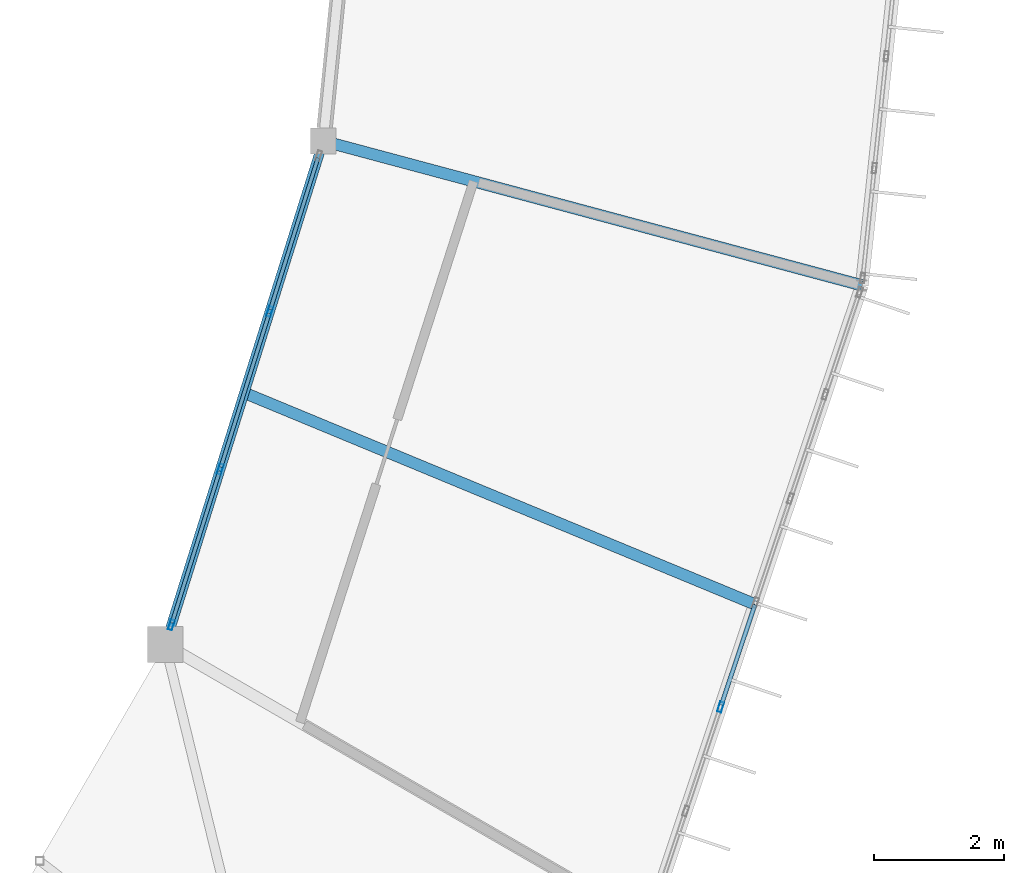
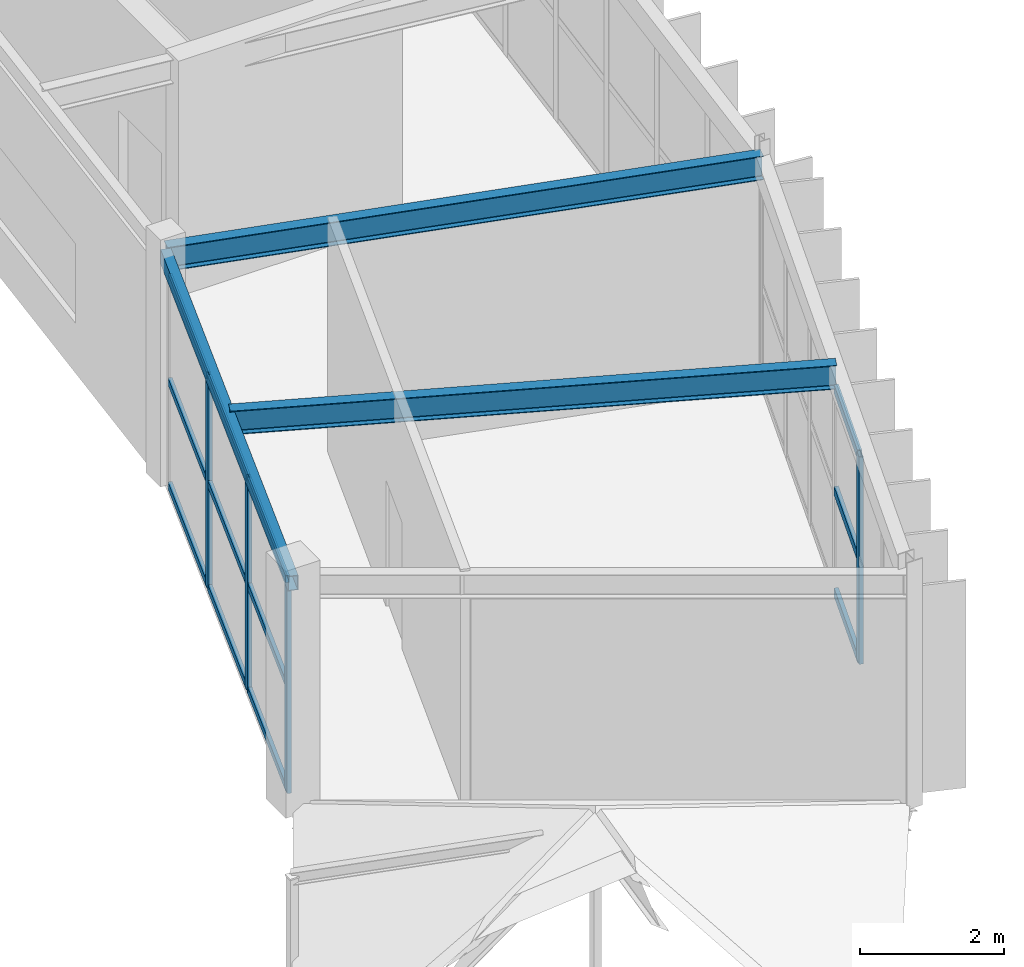
# One storey, part 24 of 66: 16 members, 3 beams, 2 elements without a shape of their own.
"""IFC4 building model written with IfcOpenShell, lengths in metres."""

from ifc_helpers import new_model, si_unit, direction, frame, origin, origin_2d, place, context, subcontext, project, spatial, hollow_rectangle, i_section, extrude, material, material_profile, profile_set, type_object, element, aggregate, save


model = new_model("IFC4")

# Units and contexts
model_context = context("Model", 3, precision=1e-05, world=origin(), true_north=direction((0.0, 1.0)))
body_context = subcontext(model_context, "Body", "Model", "MODEL_VIEW")
ifc_project = project(units=[si_unit("LENGTHUNIT", "METRE"), si_unit("AREAUNIT", "SQUARE_METRE"), si_unit("VOLUMEUNIT", "CUBIC_METRE"), si_unit("PLANEANGLEUNIT", "RADIAN"), si_unit("MASSUNIT", "GRAM", prefix="KILO")], contexts=[model_context])

# Site, building, storey
site_placement = place(None, origin())
site = spatial("IfcSite", under=ifc_project, at=site_placement, CompositionType="ELEMENT")
building_placement = place(site_placement, origin())
building = spatial("IfcBuilding", under=site, at=building_placement, Name="Karori Crest Natural Sciences Institute", CompositionType="ELEMENT")
storey_placement = place(building_placement, frame((0.0, 0.0, 30.10009765625)))
storey = spatial("IfcBuildingStorey", under=building, at=storey_placement, Name="L07", CompositionType="ELEMENT", Elevation=30.10009765625)

# Beams
ifc_material_1 = material(Name="Structural steel AS/NZS 3679.1 Grade 350", Category="steel")
ifc_material_profile_1 = material_profile(ifc_material_1, i_section(OverallWidth=0.177978515625, OverallDepth=0.406005859375, WebThickness=0.0078125, FlangeThickness=0.0126953125, FilletRadius=0.010986328125, at=origin_2d()), Name="410UB59.7")
ifc_profile_set_1 = profile_set([ifc_material_profile_1], Name="Structural steel AS/NZS 3679.1 Grade 350")
beam_type_1 = type_object("IfcBeamType", Name="BT-07", PredefinedType="BEAM", material=ifc_profile_set_1)
beam_1_placement = place(storey_placement, frame((89.968505859375, 41.56591796875, 3.739990234375), z_axis=(0.96592752402, -0.258812709002, 0.0), x_axis=(0.258812709002, 0.96592752402, 0.0)))
element("IfcBeam", 1, at=beam_1_placement, inside=storey, type_object=beam_type_1, Name="Beam B-0715", PredefinedType="BEAM", context=body_context, shape_type="SweptSolid", body=[
    extrude(i_section(OverallWidth=0.177978515625, OverallDepth=0.406005859375, WebThickness=0.0078125, FlangeThickness=0.0126953125, FilletRadius=0.010986328125, at=origin_2d()), origin(), (0.0, 0.0, 1.0), 8.60009765625),
])
beam_2_placement = place(storey_placement, frame((88.749755859375, 37.68310546875, 3.739990234375), z_axis=(0.923879682373, -0.382683070567, 0.0), x_axis=(0.382683070567, 0.923879682373, 0.0)))
element("IfcBeam", 2, at=beam_2_placement, inside=storey, type_object=beam_type_1, Name="Beam B-2903", PredefinedType="BEAM", context=body_context, shape_type="SweptSolid", body=[
    extrude(i_section(OverallWidth=0.177978515625, OverallDepth=0.406005859375, WebThickness=0.0078125, FlangeThickness=0.0126953125, FilletRadius=0.010986328125, at=origin_2d()), origin(), (0.0, 0.0, 1.0), 8.5263671875),
])
ifc_material_2 = material(Name="Hollow structural steel AS/NZS 1163 Grade C350", Category="steel")
ifc_material_profile_2 = material_profile(ifc_material_2, hollow_rectangle(XDim=0.14990234375, YDim=0.25, WallThickness=0.009033203125, at=origin_2d()), Name="RHS250x150x9")
ifc_profile_set_2 = profile_set([ifc_material_profile_2], Name="Hollow structural steel AS/NZS 1163 Grade C350")
beam_type_2 = type_object("IfcBeamType", Name="BT-16", PredefinedType="SPANDREL", material=ifc_profile_set_2)
beam_3_placement = place(storey_placement, frame((87.531005859375, 33.800048828125, 3.739990234375), z_axis=(0.299468576182, 0.954106163841, 0.0), x_axis=(-0.954106163841, 0.299468576182, 0.0)))
element("IfcBeam", 3, at=beam_3_placement, inside=storey, type_object=beam_type_2, Name="Beam B-0711", PredefinedType="SPANDREL", context=body_context, shape_type="SweptSolid", body=[
    extrude(hollow_rectangle(XDim=0.14990234375, YDim=0.25, WallThickness=0.009033203125, at=origin_2d()), origin(), (0.0, 0.0, 1.0), 8.139404296875),
])

# Curtain wall, member
ifc_material_3 = material(Name="Anodised architectural aluminium 6063-T6", Category="aluminium")
curtain_wall_type_1 = type_object("IfcCurtainWallType", Name="CWT-03", PredefinedType="NOTDEFINED", material=ifc_material_3)
curtain_wall_1_placement = place(storey_placement, origin())
curtain_wall_1 = element("IfcCurtainWall", 4, at=curtain_wall_1_placement, inside=storey, type_object=curtain_wall_type_1, Name="Curtain wall CW-0240", PredefinedType="NOTDEFINED")
ifc_material_profile_3 = material_profile(ifc_material_3, hollow_rectangle(XDim=0.06494140625, YDim=0.159912109375, WallThickness=0.00390625, at=origin_2d()), Name="CWM160x65x4")
ifc_profile_set_3 = profile_set([ifc_material_profile_3], Name="Anodised architectural aluminium 6063-T6")
member_type_1 = type_object("IfcMemberType", Name="CWM-01", PredefinedType="MULLION", material=ifc_profile_set_3)
member_1_placement = place(storey_placement, frame((96.096923828125, 32.837158203125, 0.0), z_axis=(0.0, 0.0, 1.0), x_axis=(0.94819805026, -0.317679803392, 0.0)))
member_1 = element("IfcMember", 5, at=member_1_placement, type_object=member_type_1, Name="CW-0240 mullion 5", PredefinedType="MULLION", context=body_context, shape_type="SweptSolid", body=[
    extrude(hollow_rectangle(XDim=0.06494140625, YDim=0.159912109375, WallThickness=0.00390625, at=origin_2d()), origin(), (0.0, 0.0, 1.0), 3.52490234375),
])

# Curtain wall, members
curtain_wall_type_2 = type_object("IfcCurtainWallType", Name="CWT-13", PredefinedType="NOTDEFINED", material=ifc_material_3)
curtain_wall_2_placement = place(storey_placement, origin())
curtain_wall_2 = element("IfcCurtainWall", 6, at=curtain_wall_2_placement, inside=storey, type_object=curtain_wall_type_2, Name="Curtain wall CW-0241", PredefinedType="NOTDEFINED")
member_2_placement = place(storey_placement, frame((87.62646484375, 34.10400390625, 0.0), z_axis=(0.0, 0.0, 1.0), x_axis=(-0.954104067778, 0.299475254154, 0.0)))
member_2 = element("IfcMember", 7, at=member_2_placement, type_object=member_type_1, Name="CW-0241 mullion 1", PredefinedType="MULLION", context=body_context, shape_type="SweptSolid", body=[
    extrude(hollow_rectangle(XDim=0.06494140625, YDim=0.159912109375, WallThickness=0.00390625, at=origin_2d()), origin(), (0.0, 0.0, 1.0), 3.599853515625),
])
member_3_placement = place(storey_placement, frame((88.3798828125, 36.504638671875, 0.0), z_axis=(0.0, 0.0, 1.0), x_axis=(-0.954104067778, 0.299475254154, 0.0)))
member_3 = element("IfcMember", 8, at=member_3_placement, type_object=member_type_1, Name="CW-0241 mullion 2", PredefinedType="MULLION", context=body_context, shape_type="SweptSolid", body=[
    extrude(hollow_rectangle(XDim=0.06494140625, YDim=0.159912109375, WallThickness=0.00390625, at=origin_2d()), origin(), (0.0, 0.0, 1.0), 3.599853515625),
])
member_4_placement = place(storey_placement, frame((89.14306640625, 38.936279296875, 0.0), z_axis=(0.0, 0.0, 1.0), x_axis=(-0.954104067778, 0.299475254154, 0.0)))
member_4 = element("IfcMember", 9, at=member_4_placement, type_object=member_type_1, Name="CW-0241 mullion 3", PredefinedType="MULLION", context=body_context, shape_type="SweptSolid", body=[
    extrude(hollow_rectangle(XDim=0.06494140625, YDim=0.159912109375, WallThickness=0.00390625, at=origin_2d()), origin(), (0.0, 0.0, 1.0), 3.599853515625),
])
ifc_material_profile_4 = material_profile(ifc_material_3, hollow_rectangle(XDim=0.06005859375, YDim=0.1201171875, WallThickness=0.00390625, at=origin_2d()), Name="CWT120x60x4")
ifc_profile_set_4 = profile_set([ifc_material_profile_4], Name="Anodised architectural aluminium 6063-T6")
member_type_2 = type_object("IfcMemberType", Name="CWT-TR1", PredefinedType="USERDEFINED", material=ifc_profile_set_4)
member_5_placement = place(storey_placement, frame((87.63623046875, 34.135009765625, 0.02978515625), z_axis=(0.299414751752, 0.954123056232, 0.0), x_axis=(-0.954123056232, 0.299414751752, 0.0)))
member_5 = element("IfcMember", 10, at=member_5_placement, type_object=member_type_2, Name="CW-0241 transom 1.1", ObjectType="TRANSOM", PredefinedType="USERDEFINED", context=body_context, shape_type="SweptSolid", body=[
    extrude(hollow_rectangle(XDim=0.06005859375, YDim=0.1201171875, WallThickness=0.00390625, at=origin_2d()), origin(), (0.0, 0.0, 1.0), 2.451171875),
])
member_6_placement = place(storey_placement, frame((87.63623046875, 34.135009765625, 1.7998046875), z_axis=(0.299414751752, 0.954123056232, 0.0), x_axis=(-0.954123056232, 0.299414751752, 0.0)))
member_6 = element("IfcMember", 11, at=member_6_placement, type_object=member_type_2, Name="CW-0241 transom 1.2", ObjectType="TRANSOM", PredefinedType="USERDEFINED", context=body_context, shape_type="SweptSolid", body=[
    extrude(hollow_rectangle(XDim=0.06005859375, YDim=0.1201171875, WallThickness=0.00390625, at=origin_2d()), origin(), (0.0, 0.0, 1.0), 2.451171875),
])
member_7_placement = place(storey_placement, frame((87.63623046875, 34.135009765625, 3.56982421875), z_axis=(0.299414751752, 0.954123056232, 0.0), x_axis=(-0.954123056232, 0.299414751752, 0.0)))
member_7 = element("IfcMember", 12, at=member_7_placement, type_object=member_type_2, Name="CW-0241 transom 1.3", ObjectType="TRANSOM", PredefinedType="USERDEFINED", context=body_context, shape_type="SweptSolid", body=[
    extrude(hollow_rectangle(XDim=0.06005859375, YDim=0.1201171875, WallThickness=0.00390625, at=origin_2d()), origin(), (0.0, 0.0, 1.0), 2.451171875),
])
member_8_placement = place(storey_placement, frame((88.3896484375, 36.53564453125, 0.02978515625), z_axis=(0.299517296731, 0.954090870389, 0.0), x_axis=(-0.954090870389, 0.299517296731, 0.0)))
member_8 = element("IfcMember", 13, at=member_8_placement, type_object=member_type_2, Name="CW-0241 transom 2.1", ObjectType="TRANSOM", PredefinedType="USERDEFINED", context=body_context, shape_type="SweptSolid", body=[
    extrude(hollow_rectangle(XDim=0.06005859375, YDim=0.1201171875, WallThickness=0.00390625, at=origin_2d()), origin(), (0.0, 0.0, 1.0), 2.483642578125),
])
member_9_placement = place(storey_placement, frame((88.3896484375, 36.53564453125, 1.7998046875), z_axis=(0.299517296731, 0.954090870389, 0.0), x_axis=(-0.954090870389, 0.299517296731, 0.0)))
member_9 = element("IfcMember", 14, at=member_9_placement, type_object=member_type_2, Name="CW-0241 transom 2.2", ObjectType="TRANSOM", PredefinedType="USERDEFINED", context=body_context, shape_type="SweptSolid", body=[
    extrude(hollow_rectangle(XDim=0.06005859375, YDim=0.1201171875, WallThickness=0.00390625, at=origin_2d()), origin(), (0.0, 0.0, 1.0), 2.483642578125),
])
member_10_placement = place(storey_placement, frame((88.3896484375, 36.53564453125, 3.56982421875), z_axis=(0.299517296731, 0.954090870389, 0.0), x_axis=(-0.954090870389, 0.299517296731, 0.0)))
member_10 = element("IfcMember", 15, at=member_10_placement, type_object=member_type_2, Name="CW-0241 transom 2.3", ObjectType="TRANSOM", PredefinedType="USERDEFINED", context=body_context, shape_type="SweptSolid", body=[
    extrude(hollow_rectangle(XDim=0.06005859375, YDim=0.1201171875, WallThickness=0.00390625, at=origin_2d()), origin(), (0.0, 0.0, 1.0), 2.483642578125),
])
member_11_placement = place(storey_placement, frame((89.15283203125, 38.96728515625, 0.02978515625), z_axis=(0.29950542383, 0.954094597562, 0.0), x_axis=(-0.954094597562, 0.29950542383, 0.0)))
member_11 = element("IfcMember", 16, at=member_11_placement, type_object=member_type_2, Name="CW-0241 transom 3.1", ObjectType="TRANSOM", PredefinedType="USERDEFINED", context=body_context, shape_type="SweptSolid", body=[
    extrude(hollow_rectangle(XDim=0.06005859375, YDim=0.1201171875, WallThickness=0.00390625, at=origin_2d()), origin(), (0.0, 0.0, 1.0), 2.451171875),
])
member_12_placement = place(storey_placement, frame((89.15283203125, 38.96728515625, 1.7998046875), z_axis=(0.29950542383, 0.954094597562, 0.0), x_axis=(-0.954094597562, 0.29950542383, 0.0)))
member_12 = element("IfcMember", 17, at=member_12_placement, type_object=member_type_2, Name="CW-0241 transom 3.2", ObjectType="TRANSOM", PredefinedType="USERDEFINED", context=body_context, shape_type="SweptSolid", body=[
    extrude(hollow_rectangle(XDim=0.06005859375, YDim=0.1201171875, WallThickness=0.00390625, at=origin_2d()), origin(), (0.0, 0.0, 1.0), 2.451171875),
])
member_13_placement = place(storey_placement, frame((89.15283203125, 38.96728515625, 3.56982421875), z_axis=(0.29950542383, 0.954094597562, 0.0), x_axis=(-0.954094597562, 0.29950542383, 0.0)))
member_13 = element("IfcMember", 18, at=member_13_placement, type_object=member_type_2, Name="CW-0241 transom 3.3", ObjectType="TRANSOM", PredefinedType="USERDEFINED", context=body_context, shape_type="SweptSolid", body=[
    extrude(hollow_rectangle(XDim=0.06005859375, YDim=0.1201171875, WallThickness=0.00390625, at=origin_2d()), origin(), (0.0, 0.0, 1.0), 2.451171875),
])
aggregate(curtain_wall_2, [member_2, member_3, member_4, member_5, member_6, member_7, member_8, member_9, member_10, member_11, member_12, member_13])

# Member
ifc_material_profile_5 = material_profile(ifc_material_3, hollow_rectangle(XDim=0.06494140625, YDim=0.14990234375, WallThickness=0.00390625, at=origin_2d()), Name="CWT150x65x4")
ifc_profile_set_5 = profile_set([ifc_material_profile_5], Name="Anodised architectural aluminium 6063-T6")
member_type_3 = type_object("IfcMemberType", Name="CWT-TR2", PredefinedType="USERDEFINED", material=ifc_profile_set_5)
member_14_placement = place(storey_placement, frame((96.62451171875, 34.412353515625, 0.032470703125), z_axis=(-0.317621421426, -0.948217608279, 0.0), x_axis=(0.948217608279, -0.317621421426, 0.0)))
member_14 = element("IfcMember", 19, at=member_14_placement, type_object=member_type_3, Name="CW-0240 transom 4.1", ObjectType="TRANSOM", PredefinedType="USERDEFINED", context=body_context, shape_type="SweptSolid", body=[
    extrude(hollow_rectangle(XDim=0.06494140625, YDim=0.14990234375, WallThickness=0.00390625, at=origin_2d()), origin(), (0.0, 0.0, 1.0), 1.628662109375),
])

member_15_placement = place(storey_placement, frame((96.62451171875, 34.412353515625, 1.762451171875), z_axis=(-0.317621421426, -0.948217608279, 0.0), x_axis=(0.948217608279, -0.317621421426, 0.0)))
member_15 = element("IfcMember", 20, at=member_15_placement, type_object=member_type_3, Name="CW-0240 transom 4.2", ObjectType="TRANSOM", PredefinedType="USERDEFINED", context=body_context, shape_type="SweptSolid", body=[
    extrude(hollow_rectangle(XDim=0.06494140625, YDim=0.14990234375, WallThickness=0.00390625, at=origin_2d()), origin(), (0.0, 0.0, 1.0), 1.628662109375),
])

member_16_placement = place(storey_placement, frame((96.62451171875, 34.412353515625, 3.492431640625), z_axis=(-0.317621421426, -0.948217608279, 0.0), x_axis=(0.948217608279, -0.317621421426, 0.0)))
member_16 = element("IfcMember", 21, at=member_16_placement, type_object=member_type_3, Name="CW-0240 transom 4.3", ObjectType="TRANSOM", PredefinedType="USERDEFINED", context=body_context, shape_type="SweptSolid", body=[
    extrude(hollow_rectangle(XDim=0.06494140625, YDim=0.14990234375, WallThickness=0.00390625, at=origin_2d()), origin(), (0.0, 0.0, 1.0), 1.628662109375),
])

aggregate(curtain_wall_1, [member_1, member_14, member_15, member_16])

save(model, "model.ifc")
